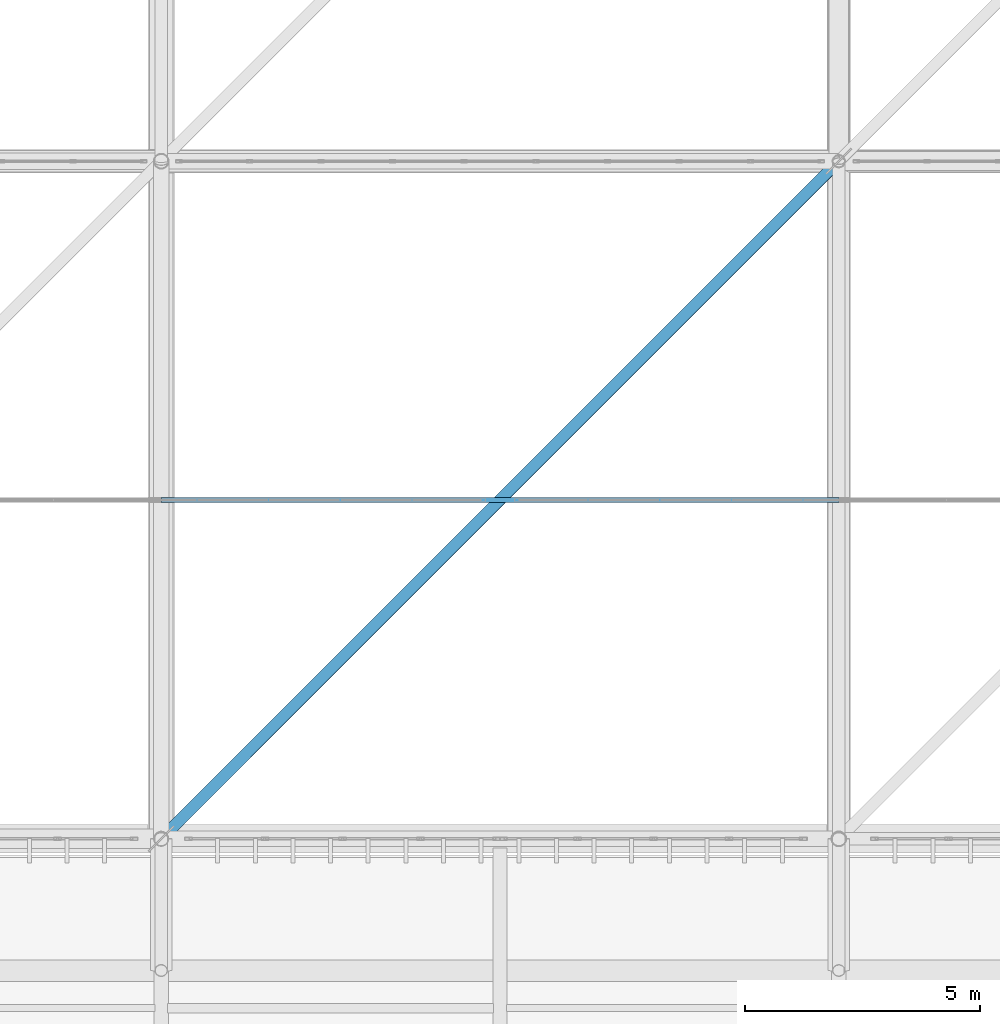
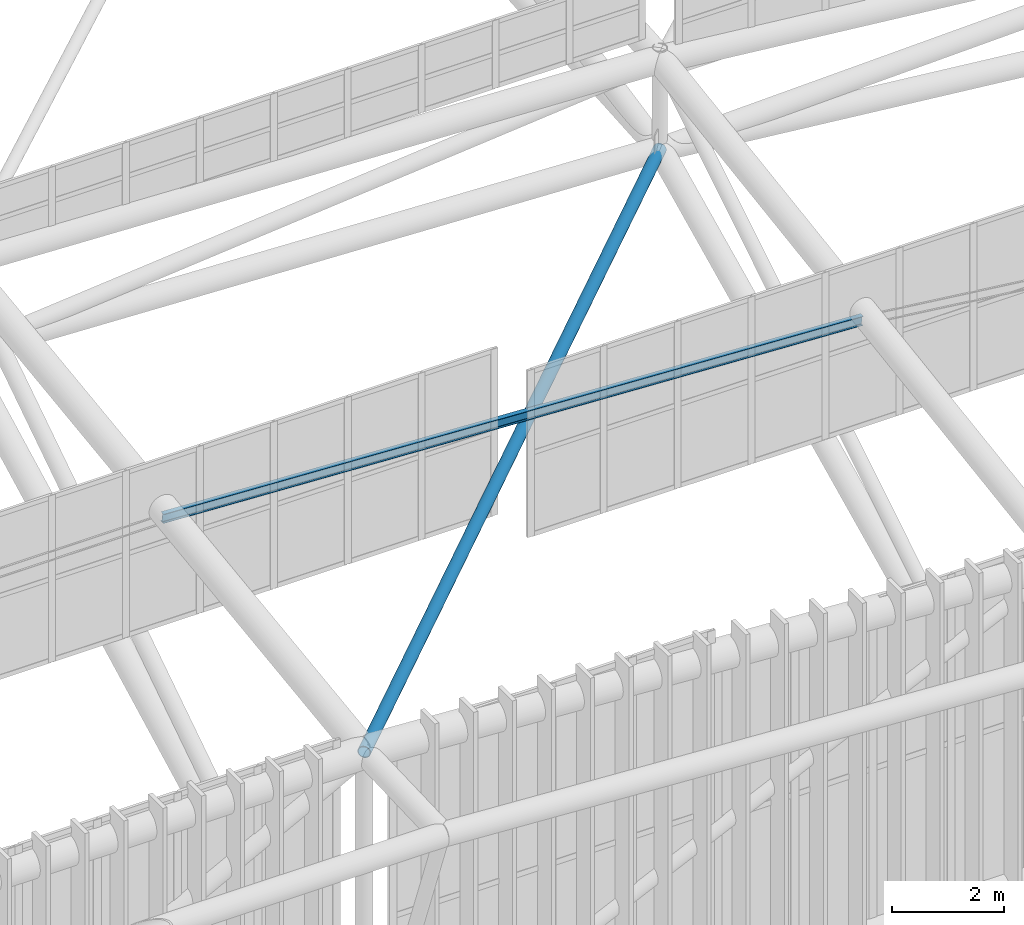
# One storey, part 94 of 397: 2 members.
"""IFC4 building model written with IfcOpenShell, lengths in metres."""

import ifcopenshell
import ifcopenshell.guid

model = None  # the IFC model being written
_history = None  # IfcOwnerHistory: only IFC2X3 demands one
_inside = {}  # id of a spatial element -> (the spatial element, [elements in it])
_under = {}  # id of a project, library or spatial element -> (it, [spatial elements below it])
_declared = {}  # id of a project -> (the project, [libraries it declares])
_typed = {}  # id of a type object -> (the type object, [elements of that type])
_made_of = {}  # id of a material, layer set ... -> (it, [elements and type objects made of it])


def new_model(schema):
    """Start an empty IFC model of exactly this schema.

    Asked for "IFC4X3", IfcOpenShell would pick the latest addendum, in which some entities
    have other attributes; the version numbers below select the first issue.
    IFC2X3 requires an IfcOwnerHistory on every rooted entity: one is made here for all.
    """
    global model, _history
    if schema == "IFC4X3":
        model = ifcopenshell.file(schema_version=(4, 3, 0, 0))
    else:
        model = ifcopenshell.file(schema=schema)
    _inside.clear()
    _under.clear()
    _declared.clear()
    _typed.clear()
    _made_of.clear()
    _history = None
    if model.schema == "IFC2X3":
        org = make("IfcOrganization", Name="unknown")
        user = make(
            "IfcPersonAndOrganization",
            ThePerson=make("IfcPerson", FamilyName="unknown"),
            TheOrganization=org,
        )
        app = make(
            "IfcApplication",
            ApplicationDeveloper=org,
            Version="unknown",
            ApplicationFullName="unknown",
            ApplicationIdentifier="unknown",
        )
        _history = make(
            "IfcOwnerHistory",
            OwningUser=user,
            OwningApplication=app,
            ChangeAction="ADDED",
            CreationDate=0,
        )
    return model


def make(cls, **values):
    """One entity of the class cls with the attributes given. An attribute that is None is left unset."""
    return model.create_entity(
        cls, **{name: value for name, value in values.items() if value is not None}
    )


def rooted(cls, **values):
    """An entity with a GlobalId (a new one), such as an element, a storey or a relation."""
    return make(cls, GlobalId=ifcopenshell.guid.new(), OwnerHistory=_history, **values)


def si_unit(unit_type, name, prefix=None):
    """IfcSIUnit, for example si_unit("LENGTHUNIT", "METRE", prefix="MILLI")."""
    return make("IfcSIUnit", UnitType=unit_type, Prefix=prefix, Name=name)


def assignment(units):
    """IfcUnitAssignment: the units of a project."""
    return None if units is None else make("IfcUnitAssignment", Units=units)


def point(xyz):
    """IfcCartesianPoint."""
    return None if xyz is None else make("IfcCartesianPoint", Coordinates=xyz)


def direction(xyz):
    """IfcDirection."""
    return None if xyz is None else make("IfcDirection", DirectionRatios=xyz)


def frame(location, z_axis=None, x_axis=None):
    """IfcAxis2Placement3D, a coordinate frame: its origin and axes. An axis left out is left unset."""
    return make(
        "IfcAxis2Placement3D",
        Location=point(location),
        Axis=direction(z_axis),
        RefDirection=direction(x_axis),
    )


def frame_2d(location, x_axis=None):
    """IfcAxis2Placement2D, a coordinate frame in the plane: its origin and x axis."""
    return make(
        "IfcAxis2Placement2D", Location=point(location), RefDirection=direction(x_axis)
    )


def origin():
    """The frame at (0, 0, 0) with its axes left unset."""
    return frame((0.0, 0.0, 0.0))


def origin_2d():
    """The frame at (0, 0) in the plane with its x axis left unset."""
    return frame_2d((0.0, 0.0))


def place(relative_to, where):
    """IfcLocalPlacement: puts the frame where relative to a parent placement (None: the world)."""
    return make(
        "IfcLocalPlacement", PlacementRelTo=relative_to, RelativePlacement=where
    )


def context(
    kind, dimensions, precision=None, world=None, true_north=None, identifier=None
):
    """IfcGeometricRepresentationContext, for example the 3D "Model" context."""
    return make(
        "IfcGeometricRepresentationContext",
        ContextIdentifier=identifier,
        ContextType=kind,
        CoordinateSpaceDimension=dimensions,
        Precision=precision,
        WorldCoordinateSystem=world,
        TrueNorth=true_north,
    )


def subcontext(parent, identifier, kind, view, scale=None):
    """IfcGeometricRepresentationSubContext, for example "Body" below "Model"."""
    return make(
        "IfcGeometricRepresentationSubContext",
        ContextIdentifier=identifier,
        ContextType=kind,
        ParentContext=parent,
        TargetScale=scale,
        TargetView=view,
    )


def project(units=None, contexts=None):
    """IfcProject with its units and contexts."""
    return rooted(
        "IfcProject",
        Name="project",
        RepresentationContexts=contexts,
        UnitsInContext=assignment(units),
    )


def spatial(cls, under=None, at=None, **own):
    """A site, building, storey or space (cls), placed at a placement, below another one or the project."""
    s = rooted(cls, ObjectPlacement=at, **own)
    if under is not None:
        _under.setdefault(under.id(), (under, []))[1].append(s)
    return s


def profile(cls, at=None, kind="AREA", **sizes):
    """A parametric profile (cls). Its sizes go by their IFC names, for example OverallWidth=200.0."""
    return make(cls, ProfileType=kind, Position=at, **sizes)


def hollow_circle(**sizes):
    """IfcCircleHollowProfileDef."""
    return profile("IfcCircleHollowProfileDef", **sizes)


def i_section(**sizes):
    """IfcIShapeProfileDef."""
    return profile("IfcIShapeProfileDef", **sizes)


def extrude(swept, where, along, depth):
    """IfcExtrudedAreaSolid: the profile swept, set in the frame where, extruded along a direction by depth."""
    return make(
        "IfcExtrudedAreaSolid",
        SweptArea=swept,
        Position=where,
        ExtrudedDirection=direction(along),
        Depth=depth,
    )


def shape(context_of_items, identifier, shape_type, items):
    """IfcShapeRepresentation: the items that make up one representation, for example the "Body"."""
    return make(
        "IfcShapeRepresentation",
        ContextOfItems=context_of_items,
        RepresentationIdentifier=identifier,
        RepresentationType=shape_type,
        Items=items,
    )


def material(Name=None, Category=None):
    """IfcMaterial."""
    return make("IfcMaterial", Name=Name, Category=Category)


def material_profile(
    of_material, cross_section, Name=None, Category=None, Priority=None
):
    """IfcMaterialProfile: a cross section and its material."""
    return make(
        "IfcMaterialProfile",
        Name=Name,
        Material=of_material,
        Profile=cross_section,
        Priority=Priority,
        Category=Category,
    )


def profile_set(profiles, Name=None, composite=None):
    """IfcMaterialProfileSet."""
    return make(
        "IfcMaterialProfileSet",
        Name=Name,
        MaterialProfiles=profiles,
        CompositeProfile=composite,
    )


def made_of(thing, what):
    """Note that an element or type object is made of a material, layer set ...; save() writes the relation."""
    if what is not None:
        _made_of.setdefault(what.id(), (what, []))[1].append(thing)
    return thing


def type_object(cls, material=None, **own):
    """A type object (cls), such as IfcWallType, which elements share."""
    return made_of(rooted(cls, **own), material)


def element(
    cls,
    number,
    at=None,
    inside=None,
    cuts=None,
    type_object=None,
    material=None,
    context=None,
    identifier="Body",
    shape_type=None,
    held_by="IfcProductDefinitionShape",
    body=None,
    shapes=None,
    **own,
):
    """One element of the class cls, such as IfcWall. Its Tag is "e" and its number.

    at: its placement. inside: the storey or other place that contains it. cuts: it is an
    opening in that element (IfcRelVoidsElement). A single representation is given by context,
    identifier, shape_type and body (its items); several are given by shapes. held_by: the class
    of the entity that holds the representations. save() writes the other relations.
    """
    e = rooted(cls, Tag="e%d" % number, ObjectPlacement=at, **own)
    if body is not None:
        shapes = [shape(context, identifier, shape_type, body)]
    if shapes is not None:
        e.Representation = make(held_by, Representations=shapes)
    if inside is not None:
        _inside.setdefault(inside.id(), (inside, []))[1].append(e)
    if cuts is not None:
        rooted(
            "IfcRelVoidsElement", RelatingBuildingElement=cuts, RelatedOpeningElement=e
        )
    if type_object is not None:
        _typed.setdefault(type_object.id(), (type_object, []))[1].append(e)
    return made_of(e, material)


def aggregate(whole, parts):
    """IfcRelAggregates: a whole, such as a stair, and the parts it consists of."""
    return rooted("IfcRelAggregates", RelatingObject=whole, RelatedObjects=parts)


def save(model, path):
    """Write the relations noted so far, then the file.

    IfcRelAggregates (storeys below a building ...), IfcRelContainedInSpatialStructure (elements
    in a storey), IfcRelDefinesByType, IfcRelAssociatesMaterial and IfcRelDeclares: one each for
    every whole, place, type object, material and project.
    """
    for whole, parts in _under.values():
        aggregate(whole, parts)
    for where, things in _inside.values():
        rooted(
            "IfcRelContainedInSpatialStructure",
            RelatedElements=things,
            RelatingStructure=where,
        )
    for kind, things in _typed.values():
        rooted("IfcRelDefinesByType", RelatedObjects=things, RelatingType=kind)
    for what, things in _made_of.values():
        rooted("IfcRelAssociatesMaterial", RelatedObjects=things, RelatingMaterial=what)
    for by, libraries in _declared.values():
        rooted("IfcRelDeclares", RelatingContext=by, RelatedDefinitions=libraries)
    model.write(path)


model = new_model("IFC4")

# Units and contexts
model_context = context("Model", 3, precision=1e-05, world=origin(), true_north=direction((0.0, 1.0)))
body_context = subcontext(model_context, "Body", "Model", "MODEL_VIEW")
ifc_project = project(units=[si_unit("LENGTHUNIT", "METRE"), si_unit("AREAUNIT", "SQUARE_METRE"), si_unit("VOLUMEUNIT", "CUBIC_METRE"), si_unit("PLANEANGLEUNIT", "RADIAN"), si_unit("MASSUNIT", "GRAM", prefix="KILO")], contexts=[model_context])

# Site, building, storey
site_placement = place(None, origin())
site = spatial("IfcSite", under=ifc_project, at=site_placement, CompositionType="ELEMENT")
building_placement = place(site_placement, origin())
building = spatial("IfcBuilding", under=site, at=building_placement, Name="Qandorah Velis Arena", CompositionType="ELEMENT")
storey_placement = place(building_placement, frame((0.0, 0.0, 27.5)))
storey = spatial("IfcBuildingStorey", under=building, at=storey_placement, Name="RF", CompositionType="ELEMENT", Elevation=27.5)

# Members
ifc_material = material(Name="Steel S355", Category="steel")
ifc_material_profile_1 = material_profile(ifc_material, i_section(OverallWidth=0.10009765625, OverallDepth=0.199951171875, WebThickness=0.005615234375, FlangeThickness=0.008544921875, FilletRadius=0.011962890625, at=origin_2d()), Name="IPE 200")
ifc_profile_set_1 = profile_set([ifc_material_profile_1], Name="Steel S355")
member_type_1 = type_object("IfcMemberType", Name="STR-PRL-IPE200", PredefinedType="PURLIN", material=ifc_profile_set_1)
member_1_placement = place(storey_placement, frame((72.0, 21.60009765625, 8.389404296875), z_axis=(0.998717559188, 0.0, -0.050628420569), x_axis=(0.0, 1.0, 0.0)))
element("IfcMember", 1, at=member_1_placement, inside=storey, type_object=member_type_1, Name="Arena roof purlin PRL-4.0", PredefinedType="PURLIN", context=body_context, shape_type="SweptSolid", body=[
    extrude(i_section(OverallWidth=0.10009765625, OverallDepth=0.199951171875, WebThickness=0.005615234375, FlangeThickness=0.008544921875, FilletRadius=0.011962890625, at=origin_2d()), origin(), (0.0, 0.0, 1.0), 14.41845703125),
])
ifc_material_profile_2 = material_profile(ifc_material, hollow_circle(Radius=0.122314453125, WallThickness=0.012451171875, at=origin_2d()), Name="CHS 244.5x12.5")
ifc_profile_set_2 = profile_set([ifc_material_profile_2], Name="Steel S355")
member_type_2 = type_object("IfcMemberType", Name="STR-SFD-CHS244X12", PredefinedType="STRUT", material=ifc_profile_set_2)
member_2_placement = place(storey_placement, frame((86.39990234375, 28.800048828125, 7.009521484375), z_axis=(-0.70674502868, -0.706757011065, 0.031717372943), x_axis=(0.707112775369, -0.707100786953, 0.0)))
element("IfcMember", 2, at=member_2_placement, inside=storey, type_object=member_type_2, Name="Space frame roof spatial diagonal 4.0", PredefinedType="STRUT", context=body_context, shape_type="SweptSolid", body=[
    extrude(hollow_circle(Radius=0.122314453125, WallThickness=0.012451171875, at=origin_2d()), origin(), (0.0, 0.0, 1.0), 20.375),
])

save(model, "model.ifc")
